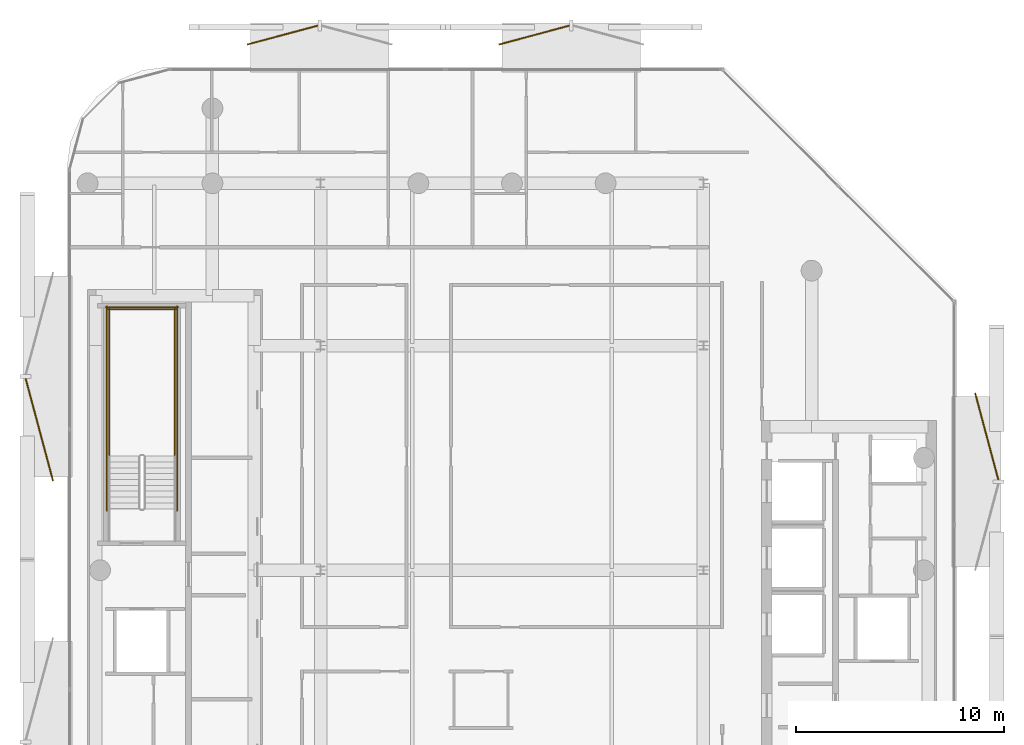
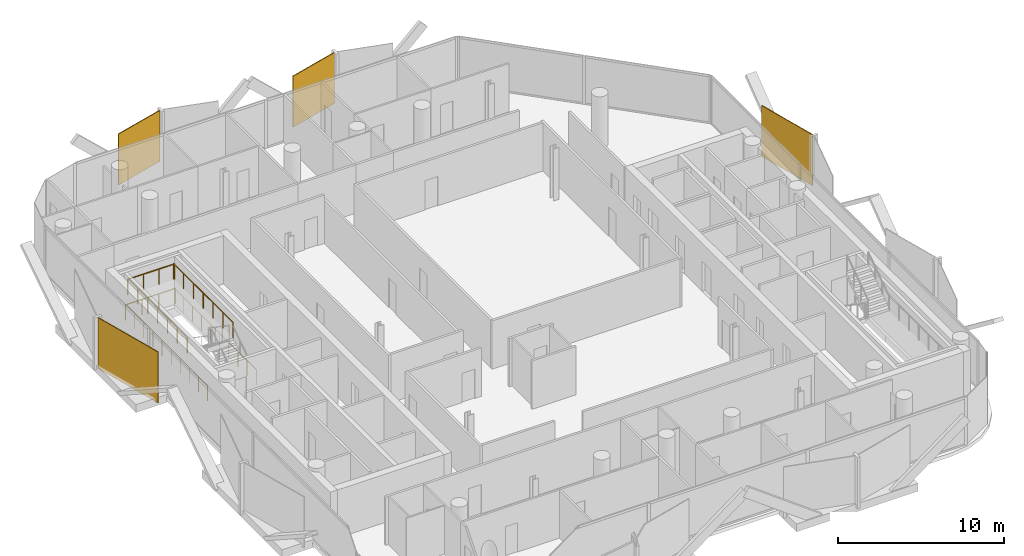
# One storey, part 15 of 15: 6 railings, 4 coverings.
"""IFC4 building model written with IfcOpenShell, lengths in metres."""

from ifc_helpers import new_model, si_unit, direction, frame, origin, origin_2d, place, context, subcontext, project, spatial, rectangle, circle, extrude, material, layer, layer_set, type_object, element, save


model = new_model("IFC4")

# Units and contexts
model_context = context("Model", 3, precision=1e-05, world=origin(), true_north=direction((0.0, 1.0)))
body_context = subcontext(model_context, "Body", "Model", "MODEL_VIEW")
ifc_project = project(units=[si_unit("LENGTHUNIT", "METRE"), si_unit("AREAUNIT", "SQUARE_METRE"), si_unit("VOLUMEUNIT", "CUBIC_METRE"), si_unit("PLANEANGLEUNIT", "RADIAN"), si_unit("MASSUNIT", "GRAM", prefix="KILO")], contexts=[model_context])

# Site, building, storey
site_placement = place(None, origin())
site = spatial("IfcSite", under=ifc_project, at=site_placement, CompositionType="ELEMENT")
building_placement = place(site_placement, origin())
building = spatial("IfcBuilding", under=site, at=building_placement, Name="Khairoan Windgate Tower", CompositionType="ELEMENT")
storey_placement = place(building_placement, frame((0.0, 0.0, 285.199951171875)))
storey = spatial("IfcBuildingStorey", under=building, at=storey_placement, Name="L68", CompositionType="ELEMENT", Elevation=285.199951171875)

# Coverings
ifc_material_1 = material(Name="Anodised Bronze Aluminium 6063-T6", Category="aluminium")
ifc_layer = layer(ifc_material_1, 0.054931640625, Name="Anodised Bronze Aluminium 6063-T6")
ifc_layer_set = layer_set([ifc_layer], Name="Anodised Bronze Aluminium 6063-T6")
covering_type = type_object("IfcCoveringType", Name="Perforated Bronze-Ceramic Folded Solar Screen Cladding BSC-1", PredefinedType="CLADDING", material=ifc_layer_set)
covering_1_placement = place(storey_placement, frame((-22.720703125, 6.75732421875, -0.10009765625), z_axis=(0.0, 0.0, 1.0), x_axis=(-0.258819045103, 0.965925826289, 0.0)))
element("IfcCovering", 1, at=covering_1_placement, inside=storey, type_object=covering_type, Name="L68 Folded Bronze Solar Screen Facet 473L", PredefinedType="CLADDING", context=body_context, shape_type="SweptSolid", body=[
    extrude(rectangle(XDim=5.093994140625, YDim=0.054931640625, at=origin_2d()), origin(), (0.0, 0.0, 1.0), 3.739990234375),
])
for number, where, z_axis, x_axis, name in (
    (2, (-11.02685546875, 25.72607421875, -0.10009765625), (0.0, 0.0, 1.0), (0.965925826289, 0.258819045103, 0.0), "L68 Folded Bronze Solar Screen Facet 474L"),
    (3, (1.069580078125, 25.72607421875, -0.10009765625), (0.0, 0.0, 1.0), (0.965925826289, 0.258819045103, 0.0), "L68 Folded Bronze Solar Screen Facet 475L"),
):
    element("IfcCovering", number, at=place(storey_placement, frame(where, z_axis=z_axis, x_axis=x_axis)), inside=storey, type_object=covering_type, Name=name, PredefinedType="CLADDING", context=body_context, shape_type="SweptSolid", body=[
        extrude(rectangle(XDim=3.508056640625, YDim=0.054931640625, at=origin_2d()), origin(), (0.0, 0.0, 1.0), 3.739990234375),
    ])
covering_2_placement = place(storey_placement, frame((22.821044921875, 6.43017578125, -0.10009765625), z_axis=(0.0, 0.0, 1.0), x_axis=(0.258819045103, -0.965925826289, 0.0)))
element("IfcCovering", 4, at=covering_2_placement, inside=storey, type_object=covering_type, Name="L68 Folded Bronze Solar Screen Facet 476L", PredefinedType="CLADDING", context=body_context, shape_type="SweptSolid", body=[
    extrude(rectangle(XDim=4.320068359375, YDim=0.054931640625, at=origin_2d()), origin(), (0.0, 0.0, 1.0), 3.739990234375),
])

# Railings
ifc_material_2 = material(Name="Steel S355", Category="steel")
railing_type = type_object("IfcRailingType", Name="Stairwell Safety Guardrail SGR-1150", PredefinedType="GUARDRAIL", material=ifc_material_2)
for number, where, name in (
    (5, (-16.199951171875, 5.47998046875, 1.900146484375), "L68 ST2 stair guard 3"),
    (6, (-19.3701171875, 5.47998046875, 1.900146484375), "L68 ST2 stair guard 4"),
):
    element("IfcRailing", number, at=place(storey_placement, frame(where)), inside=storey, type_object=railing_type, Name=name, PredefinedType="GUARDRAIL", context=body_context, shape_type="SweptSolid", body=[
        extrude(circle(Radius=0.02392578125, at=origin_2d()), frame((0.0, 0.0, 1.1259765625), z_axis=(0.0, 1.0, 0.0), x_axis=(-1.0, 0.0, 0.0)), (0.0, 0.0, 1.0), 7.1201171875),
        extrude(circle(Radius=0.02099609375, at=origin_2d()), origin(), (0.0, 0.0, 1.0), 1.101806640625),
        extrude(circle(Radius=0.02099609375, at=origin_2d()), frame((0.0, 1.186767578125, 0.0)), (0.0, 0.0, 1.0), 1.101806640625),
        extrude(circle(Radius=0.02099609375, at=origin_2d()), frame((0.0, 2.373291015625, 0.0)), (0.0, 0.0, 1.0), 1.101806640625),
        extrude(circle(Radius=0.02099609375, at=origin_2d()), frame((0.0, 3.56005859375, 0.0)), (0.0, 0.0, 1.0), 1.101806640625),
        extrude(circle(Radius=0.02099609375, at=origin_2d()), frame((0.0, 4.746826171875, 0.0)), (0.0, 0.0, 1.0), 1.101806640625),
        extrude(circle(Radius=0.02099609375, at=origin_2d()), frame((0.0, 5.933349609375, 0.0)), (0.0, 0.0, 1.0), 1.101806640625),
        extrude(circle(Radius=0.02099609375, at=origin_2d()), frame((0.0, 7.1201171875, 0.0)), (0.0, 0.0, 1.0), 1.101806640625),
    ])
railing_1_placement = place(storey_placement, frame((-16.14990234375, 12.550048828125, 1.900146484375)))
element("IfcRailing", 7, at=railing_1_placement, inside=storey, type_object=railing_type, Name="L68 ST2 stair guard 5", PredefinedType="GUARDRAIL", context=body_context, shape_type="SweptSolid", body=[
    extrude(circle(Radius=0.02392578125, at=origin_2d()), frame((0.0, 0.0, 1.1259765625), z_axis=(-1.0, 0.0, 0.0), x_axis=(0.0, -1.0, 0.0)), (0.0, 0.0, 1.0), 3.27001953125),
    extrude(circle(Radius=0.02099609375, at=origin_2d()), origin(), (0.0, 0.0, 1.0), 1.101806640625),
    extrude(circle(Radius=0.02099609375, at=origin_2d()), frame((-1.090087890625, 0.0, 0.0)), (0.0, 0.0, 1.0), 1.101806640625),
    extrude(circle(Radius=0.02099609375, at=origin_2d()), frame((-2.179931640625, 0.0, 0.0)), (0.0, 0.0, 1.0), 1.101806640625),
    extrude(circle(Radius=0.02099609375, at=origin_2d()), frame((-3.27001953125, 0.0, 0.0)), (0.0, 0.0, 1.0), 1.101806640625),
])
for number, where, name in (
    (8, (-16.10009765625, 2.860107421875, 0.0), "L68 ST2 stair guard 10"),
    (9, (-19.469970703125, 2.860107421875, 0.0), "L68 ST2 stair guard 11"),
):
    element("IfcRailing", number, at=place(storey_placement, frame(where)), inside=storey, type_object=railing_type, Name=name, PredefinedType="GUARDRAIL", context=body_context, shape_type="SweptSolid", body=[
        extrude(circle(Radius=0.02392578125, at=origin_2d()), frame((0.0, 0.0, 1.1259765625), z_axis=(0.0, 1.0, 0.0), x_axis=(-1.0, 0.0, 0.0)), (0.0, 0.0, 1.0), 9.83984375),
        extrude(circle(Radius=0.02099609375, at=origin_2d()), origin(), (0.0, 0.0, 1.0), 1.101806640625),
        extrude(circle(Radius=0.02099609375, at=origin_2d()), frame((0.0, 1.09326171875, 0.0)), (0.0, 0.0, 1.0), 1.101806640625),
        extrude(circle(Radius=0.02099609375, at=origin_2d()), frame((0.0, 2.1865234375, 0.0)), (0.0, 0.0, 1.0), 1.101806640625),
        extrude(circle(Radius=0.02099609375, at=origin_2d()), frame((0.0, 3.280029296875, 0.0)), (0.0, 0.0, 1.0), 1.101806640625),
        extrude(circle(Radius=0.02099609375, at=origin_2d()), frame((0.0, 4.373291015625, 0.0)), (0.0, 0.0, 1.0), 1.101806640625),
        extrude(circle(Radius=0.02099609375, at=origin_2d()), frame((0.0, 5.466552734375, 0.0)), (0.0, 0.0, 1.0), 1.101806640625),
        extrude(circle(Radius=0.02099609375, at=origin_2d()), frame((0.0, 6.559814453125, 0.0)), (0.0, 0.0, 1.0), 1.101806640625),
        extrude(circle(Radius=0.02099609375, at=origin_2d()), frame((0.0, 7.6533203125, 0.0)), (0.0, 0.0, 1.0), 1.101806640625),
        extrude(circle(Radius=0.02099609375, at=origin_2d()), frame((0.0, 8.74658203125, 0.0)), (0.0, 0.0, 1.0), 1.101806640625),
        extrude(circle(Radius=0.02099609375, at=origin_2d()), frame((0.0, 9.83984375, 0.0)), (0.0, 0.0, 1.0), 1.101806640625),
    ])
railing_2_placement = place(storey_placement, frame((-16.050048828125, 12.64990234375, 0.0)))
element("IfcRailing", 10, at=railing_2_placement, inside=storey, type_object=railing_type, Name="L68 ST2 stair guard 12", PredefinedType="GUARDRAIL", context=body_context, shape_type="SweptSolid", body=[
    extrude(circle(Radius=0.02392578125, at=origin_2d()), frame((0.0, 0.0, 1.1259765625), z_axis=(-1.0, 0.0, 0.0), x_axis=(0.0, -1.0, 0.0)), (0.0, 0.0, 1.0), 3.469970703125),
    extrude(circle(Radius=0.02099609375, at=origin_2d()), origin(), (0.0, 0.0, 1.0), 1.101806640625),
    extrude(circle(Radius=0.02099609375, at=origin_2d()), frame((-1.15673828125, 0.0, 0.0)), (0.0, 0.0, 1.0), 1.101806640625),
    extrude(circle(Radius=0.02099609375, at=origin_2d()), frame((-2.313232421875, 0.0, 0.0)), (0.0, 0.0, 1.0), 1.101806640625),
    extrude(circle(Radius=0.02099609375, at=origin_2d()), frame((-3.469970703125, 0.0, 0.0)), (0.0, 0.0, 1.0), 1.101806640625),
])

save(model, "model.ifc")
